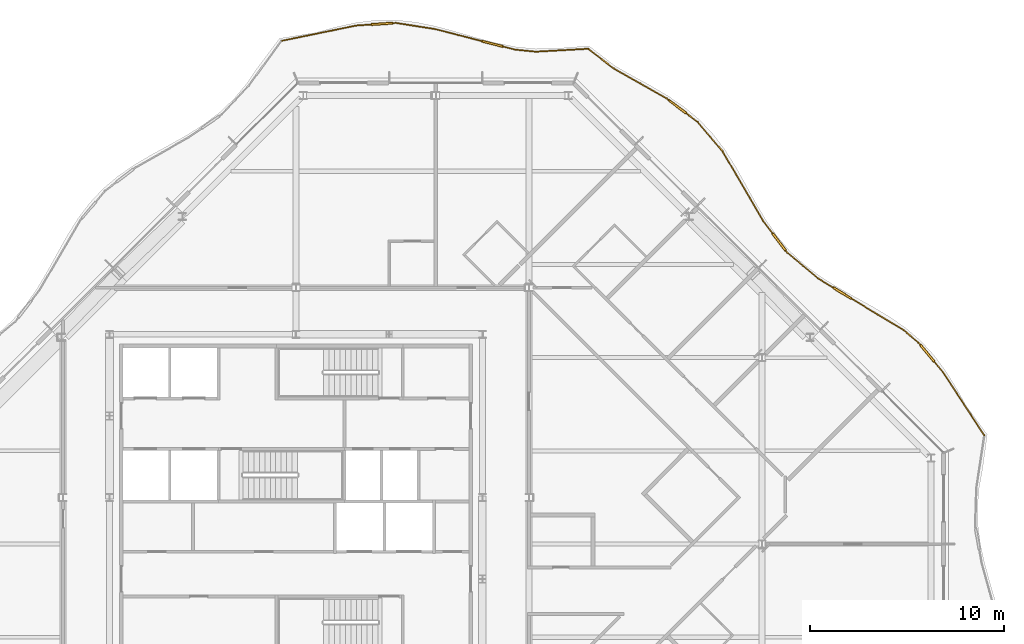
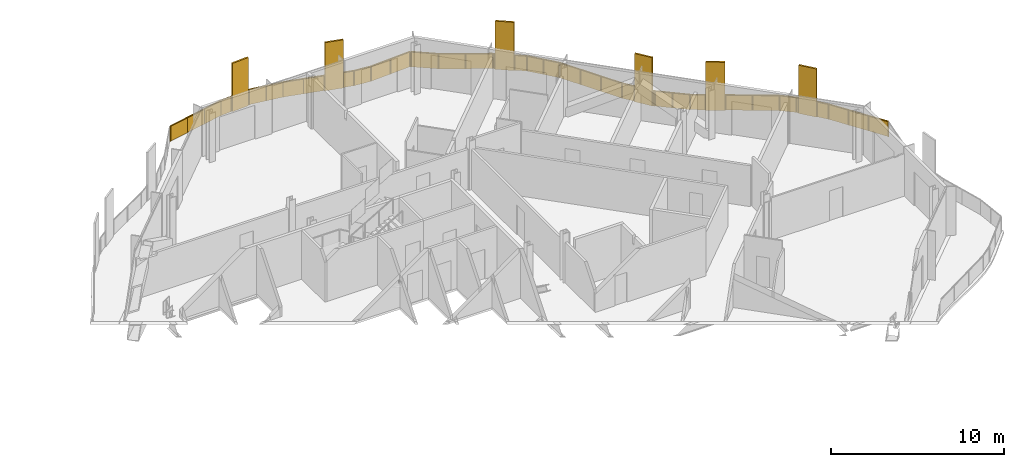
# One storey, part 17 of 17: 2 railings.
"""IFC4 building model written with IfcOpenShell, lengths in metres."""

import ifcopenshell
import ifcopenshell.guid

model = None  # the IFC model being written
_history = None  # IfcOwnerHistory: only IFC2X3 demands one
_inside = {}  # id of a spatial element -> (the spatial element, [elements in it])
_under = {}  # id of a project, library or spatial element -> (it, [spatial elements below it])
_declared = {}  # id of a project -> (the project, [libraries it declares])
_typed = {}  # id of a type object -> (the type object, [elements of that type])
_made_of = {}  # id of a material, layer set ... -> (it, [elements and type objects made of it])


def new_model(schema):
    """Start an empty IFC model of exactly this schema.

    Asked for "IFC4X3", IfcOpenShell would pick the latest addendum, in which some entities
    have other attributes; the version numbers below select the first issue.
    IFC2X3 requires an IfcOwnerHistory on every rooted entity: one is made here for all.
    """
    global model, _history
    if schema == "IFC4X3":
        model = ifcopenshell.file(schema_version=(4, 3, 0, 0))
    else:
        model = ifcopenshell.file(schema=schema)
    _inside.clear()
    _under.clear()
    _declared.clear()
    _typed.clear()
    _made_of.clear()
    _history = None
    if model.schema == "IFC2X3":
        org = make("IfcOrganization", Name="unknown")
        user = make(
            "IfcPersonAndOrganization",
            ThePerson=make("IfcPerson", FamilyName="unknown"),
            TheOrganization=org,
        )
        app = make(
            "IfcApplication",
            ApplicationDeveloper=org,
            Version="unknown",
            ApplicationFullName="unknown",
            ApplicationIdentifier="unknown",
        )
        _history = make(
            "IfcOwnerHistory",
            OwningUser=user,
            OwningApplication=app,
            ChangeAction="ADDED",
            CreationDate=0,
        )
    return model


def make(cls, **values):
    """One entity of the class cls with the attributes given. An attribute that is None is left unset."""
    return model.create_entity(
        cls, **{name: value for name, value in values.items() if value is not None}
    )


def rooted(cls, **values):
    """An entity with a GlobalId (a new one), such as an element, a storey or a relation."""
    return make(cls, GlobalId=ifcopenshell.guid.new(), OwnerHistory=_history, **values)


def si_unit(unit_type, name, prefix=None):
    """IfcSIUnit, for example si_unit("LENGTHUNIT", "METRE", prefix="MILLI")."""
    return make("IfcSIUnit", UnitType=unit_type, Prefix=prefix, Name=name)


def assignment(units):
    """IfcUnitAssignment: the units of a project."""
    return None if units is None else make("IfcUnitAssignment", Units=units)


def point(xyz):
    """IfcCartesianPoint."""
    return None if xyz is None else make("IfcCartesianPoint", Coordinates=xyz)


def direction(xyz):
    """IfcDirection."""
    return None if xyz is None else make("IfcDirection", DirectionRatios=xyz)


def frame(location, z_axis=None, x_axis=None):
    """IfcAxis2Placement3D, a coordinate frame: its origin and axes. An axis left out is left unset."""
    return make(
        "IfcAxis2Placement3D",
        Location=point(location),
        Axis=direction(z_axis),
        RefDirection=direction(x_axis),
    )


def frame_2d(location, x_axis=None):
    """IfcAxis2Placement2D, a coordinate frame in the plane: its origin and x axis."""
    return make(
        "IfcAxis2Placement2D", Location=point(location), RefDirection=direction(x_axis)
    )


def origin():
    """The frame at (0, 0, 0) with its axes left unset."""
    return frame((0.0, 0.0, 0.0))


def origin_2d():
    """The frame at (0, 0) in the plane with its x axis left unset."""
    return frame_2d((0.0, 0.0))


def place(relative_to, where):
    """IfcLocalPlacement: puts the frame where relative to a parent placement (None: the world)."""
    return make(
        "IfcLocalPlacement", PlacementRelTo=relative_to, RelativePlacement=where
    )


def context(
    kind, dimensions, precision=None, world=None, true_north=None, identifier=None
):
    """IfcGeometricRepresentationContext, for example the 3D "Model" context."""
    return make(
        "IfcGeometricRepresentationContext",
        ContextIdentifier=identifier,
        ContextType=kind,
        CoordinateSpaceDimension=dimensions,
        Precision=precision,
        WorldCoordinateSystem=world,
        TrueNorth=true_north,
    )


def subcontext(parent, identifier, kind, view, scale=None):
    """IfcGeometricRepresentationSubContext, for example "Body" below "Model"."""
    return make(
        "IfcGeometricRepresentationSubContext",
        ContextIdentifier=identifier,
        ContextType=kind,
        ParentContext=parent,
        TargetScale=scale,
        TargetView=view,
    )


def project(units=None, contexts=None):
    """IfcProject with its units and contexts."""
    return rooted(
        "IfcProject",
        Name="project",
        RepresentationContexts=contexts,
        UnitsInContext=assignment(units),
    )


def spatial(cls, under=None, at=None, **own):
    """A site, building, storey or space (cls), placed at a placement, below another one or the project."""
    s = rooted(cls, ObjectPlacement=at, **own)
    if under is not None:
        _under.setdefault(under.id(), (under, []))[1].append(s)
    return s


def polyline(points):
    """IfcPolyline through the points."""
    return make("IfcPolyline", Points=[point(p) for p in points])


def profile(cls, at=None, kind="AREA", **sizes):
    """A parametric profile (cls). Its sizes go by their IFC names, for example OverallWidth=200.0."""
    return make(cls, ProfileType=kind, Position=at, **sizes)


def rectangle(**sizes):
    """IfcRectangleProfileDef."""
    return profile("IfcRectangleProfileDef", **sizes)


def outline(outer, holes=None, kind="AREA"):
    """IfcArbitraryClosedProfileDef: a profile drawn as a closed curve; with holes, ...WithVoids."""
    if holes is None:
        return make("IfcArbitraryClosedProfileDef", ProfileType=kind, OuterCurve=outer)
    return make(
        "IfcArbitraryProfileDefWithVoids",
        ProfileType=kind,
        OuterCurve=outer,
        InnerCurves=holes,
    )


def extrude(swept, where, along, depth):
    """IfcExtrudedAreaSolid: the profile swept, set in the frame where, extruded along a direction by depth."""
    return make(
        "IfcExtrudedAreaSolid",
        SweptArea=swept,
        Position=where,
        ExtrudedDirection=direction(along),
        Depth=depth,
    )


def shape(context_of_items, identifier, shape_type, items):
    """IfcShapeRepresentation: the items that make up one representation, for example the "Body"."""
    return make(
        "IfcShapeRepresentation",
        ContextOfItems=context_of_items,
        RepresentationIdentifier=identifier,
        RepresentationType=shape_type,
        Items=items,
    )


def material(Name=None, Category=None):
    """IfcMaterial."""
    return make("IfcMaterial", Name=Name, Category=Category)


def made_of(thing, what):
    """Note that an element or type object is made of a material, layer set ...; save() writes the relation."""
    if what is not None:
        _made_of.setdefault(what.id(), (what, []))[1].append(thing)
    return thing


def type_object(cls, material=None, **own):
    """A type object (cls), such as IfcWallType, which elements share."""
    return made_of(rooted(cls, **own), material)


def element(
    cls,
    number,
    at=None,
    inside=None,
    cuts=None,
    type_object=None,
    material=None,
    context=None,
    identifier="Body",
    shape_type=None,
    held_by="IfcProductDefinitionShape",
    body=None,
    shapes=None,
    **own,
):
    """One element of the class cls, such as IfcWall. Its Tag is "e" and its number.

    at: its placement. inside: the storey or other place that contains it. cuts: it is an
    opening in that element (IfcRelVoidsElement). A single representation is given by context,
    identifier, shape_type and body (its items); several are given by shapes. held_by: the class
    of the entity that holds the representations. save() writes the other relations.
    """
    e = rooted(cls, Tag="e%d" % number, ObjectPlacement=at, **own)
    if body is not None:
        shapes = [shape(context, identifier, shape_type, body)]
    if shapes is not None:
        e.Representation = make(held_by, Representations=shapes)
    if inside is not None:
        _inside.setdefault(inside.id(), (inside, []))[1].append(e)
    if cuts is not None:
        rooted(
            "IfcRelVoidsElement", RelatingBuildingElement=cuts, RelatedOpeningElement=e
        )
    if type_object is not None:
        _typed.setdefault(type_object.id(), (type_object, []))[1].append(e)
    return made_of(e, material)


def aggregate(whole, parts):
    """IfcRelAggregates: a whole, such as a stair, and the parts it consists of."""
    return rooted("IfcRelAggregates", RelatingObject=whole, RelatedObjects=parts)


def save(model, path):
    """Write the relations noted so far, then the file.

    IfcRelAggregates (storeys below a building ...), IfcRelContainedInSpatialStructure (elements
    in a storey), IfcRelDefinesByType, IfcRelAssociatesMaterial and IfcRelDeclares: one each for
    every whole, place, type object, material and project.
    """
    for whole, parts in _under.values():
        aggregate(whole, parts)
    for where, things in _inside.values():
        rooted(
            "IfcRelContainedInSpatialStructure",
            RelatedElements=things,
            RelatingStructure=where,
        )
    for kind, things in _typed.values():
        rooted("IfcRelDefinesByType", RelatedObjects=things, RelatingType=kind)
    for what, things in _made_of.values():
        rooted("IfcRelAssociatesMaterial", RelatedObjects=things, RelatingMaterial=what)
    for by, libraries in _declared.values():
        rooted("IfcRelDeclares", RelatingContext=by, RelatedDefinitions=libraries)
    model.write(path)


model = new_model("IFC4")

# Units and contexts
model_context = context("Model", 3, precision=1e-05, world=origin(), true_north=direction((0.0, 1.0)))
body_context = subcontext(model_context, "Body", "Model", "MODEL_VIEW")
ifc_project = project(units=[si_unit("LENGTHUNIT", "METRE"), si_unit("AREAUNIT", "SQUARE_METRE"), si_unit("VOLUMEUNIT", "CUBIC_METRE"), si_unit("PLANEANGLEUNIT", "RADIAN"), si_unit("MASSUNIT", "GRAM", prefix="KILO")], contexts=[model_context])

# Site, building, storey
site_placement = place(None, origin())
site = spatial("IfcSite", under=ifc_project, at=site_placement, CompositionType="ELEMENT")
building_placement = place(site_placement, origin())
building = spatial("IfcBuilding", under=site, at=building_placement, Name="Cairn Pilgrim Tower", CompositionType="ELEMENT")
storey_placement = place(building_placement, frame((0.0, 0.0, 274.199951171875)))
storey = spatial("IfcBuildingStorey", under=building, at=storey_placement, Name="L70", CompositionType="ELEMENT", Elevation=274.199951171875)

# Railings
ifc_material = material(Name="Bronze anodised aluminium rail, posts and fin screens with laminated glass infill", Category="aluminium")
railing_type = type_object("IfcRailingType", Name="BALCONY GUARD WITH FIN SCREENS", PredefinedType="GUARDRAIL", material=ifc_material)
railing_1_placement = place(storey_placement, frame((42.648193359375, 5.596435546875, 0.0)))
element("IfcRailing", 1, at=railing_1_placement, inside=storey, type_object=railing_type, Name="Balcony guard BGF-3 with fin screens", PredefinedType="GUARDRAIL", context=body_context, shape_type="SweptSolid", body=[
    extrude(rectangle(XDim=0.050048828125, YDim=0.050048828125, at=origin_2d()), frame((0.0, 0.0, 1.0751953125), z_axis=(-0.546394916701, 0.837527668202, 0.0), x_axis=(-0.837527668202, -0.546394916701, 0.0)), (0.0, 0.0, 1.0), 3.865966796875),
    extrude(rectangle(XDim=1.10009765625, YDim=0.110107421875, at=origin_2d()), frame((-2.93359375, 4.224365234375, 0.0), z_axis=(0.0, 0.0, 1.0), x_axis=(-0.63984784715, 0.768501615156, 0.0)), (0.0, 0.0, 1.0), 3.39990234375),
    extrude(rectangle(XDim=0.050048828125, YDim=0.050048828125, at=origin_2d()), frame((-2.1123046875, 3.23779296875, 1.0751953125), z_axis=(-0.63984784715, 0.768501615156, 0.0), x_axis=(-0.768501615156, -0.63984784715, 0.0)), (0.0, 0.0, 1.0), 0.733642578125),
    extrude(rectangle(XDim=0.050048828125, YDim=0.050048828125, at=origin_2d()), frame((-3.28564453125, 4.64697265625, 1.0751953125), z_axis=(-0.63984784715, 0.768501615156, 0.0), x_axis=(-0.768501615156, -0.63984784715, 0.0)), (0.0, 0.0, 1.0), 0.16455078125),
    extrude(rectangle(XDim=0.050048828125, YDim=0.050048828125, at=origin_2d()), frame((-3.390869140625, 4.7734375, 1.0751953125), z_axis=(-0.759711919433, 0.65025979383, 0.0), x_axis=(-0.65025979383, -0.759711919433, 0.0)), (0.0, 0.0, 1.0), 0.983642578125),
    extrude(rectangle(XDim=1.10009765625, YDim=0.110107421875, at=origin_2d()), frame((-7.31494140625, 7.330322265625, 0.0), z_axis=(0.0, 0.0, 1.0), x_axis=(-0.856163211631, 0.516705481923, 0.0)), (0.0, 0.0, 1.0), 3.39990234375),
    extrude(rectangle(XDim=0.050048828125, YDim=0.050048828125, at=origin_2d()), frame((-4.13818359375, 5.4130859375, 1.0751953125), z_axis=(-0.856163211631, 0.516705481923, 0.0), x_axis=(-0.516705481923, -0.856163211631, 0.0)), (0.0, 0.0, 1.0), 3.16064453125),
    extrude(rectangle(XDim=0.050048828125, YDim=0.050048828125, at=origin_2d()), frame((-7.785888671875, 7.614501953125, 1.0751953125), z_axis=(-0.856163211631, 0.516705481923, 0.0), x_axis=(-0.516705481923, -0.856163211631, 0.0)), (0.0, 0.0, 1.0), 0.91845703125),
    extrude(rectangle(XDim=0.050048828125, YDim=0.050048828125, at=origin_2d()), frame((-8.572265625, 8.089111328125, 1.0751953125), z_axis=(-0.765368762212, 0.6435919964, 0.0), x_axis=(-0.6435919964, -0.765368762212, 0.0)), (0.0, 0.0, 1.0), 2.046875),
    extrude(rectangle(XDim=1.10009765625, YDim=0.110107421875, at=origin_2d()), frame((-10.564208984375, 9.962646484375, 0.0), z_axis=(0.0, 0.0, 1.0), x_axis=(-0.607348694301, 0.794435374043, 0.0)), (0.0, 0.0, 1.0), 3.39990234375),
    extrude(rectangle(XDim=0.050048828125, YDim=0.050048828125, at=origin_2d()), frame((-10.138916015625, 9.406494140625, 1.0751953125), z_axis=(-0.607348694301, 0.794435374043, 0.0), x_axis=(-0.794435374043, -0.607348694301, 0.0)), (0.0, 0.0, 1.0), 0.150146484375),
    extrude(rectangle(XDim=0.050048828125, YDim=0.050048828125, at=origin_2d()), frame((-10.898193359375, 10.399658203125, 1.0751953125), z_axis=(-0.607348694301, 0.794435374043, 0.0), x_axis=(-0.794435374043, -0.607348694301, 0.0)), (0.0, 0.0, 1.0), 0.80517578125),
    extrude(rectangle(XDim=0.050048828125, YDim=0.050048828125, at=origin_2d()), frame((-11.38720703125, 11.039306640625, 1.0751953125), z_axis=(-0.503534971954, 0.863974844552, 0.0), x_axis=(-0.863974844552, -0.503534971954, 0.0)), (0.0, 0.0, 1.0), 4.15625),
    extrude(rectangle(XDim=0.050048828125, YDim=0.050048828125, at=origin_2d()), frame((-13.47998046875, 14.630126953125, 1.0751953125), z_axis=(-0.647295447503, 0.76223920369, 0.0), x_axis=(-0.76223920369, -0.647295447503, 0.0)), (0.0, 0.0, 1.0), 1.988037109375),
    extrude(rectangle(XDim=1.10009765625, YDim=0.110107421875, at=origin_2d()), frame((-15.80615234375, 16.932861328125, 0.0), z_axis=(0.0, 0.0, 1.0), x_axis=(-0.797081486826, 0.60387176069, 0.0)), (0.0, 0.0, 1.0), 3.39990234375),
    extrude(rectangle(XDim=0.050048828125, YDim=0.050048828125, at=origin_2d()), frame((-14.766845703125, 16.1455078125, 1.0751953125), z_axis=(-0.797081486826, 0.60387176069, 0.0), x_axis=(-0.60387176069, -0.797081486826, 0.0)), (0.0, 0.0, 1.0), 0.75390625),
    extrude(rectangle(XDim=0.050048828125, YDim=0.050048828125, at=origin_2d()), frame((-16.24462890625, 17.26513671875, 1.0751953125), z_axis=(-0.797081486826, 0.60387176069, 0.0), x_axis=(-0.60387176069, -0.797081486826, 0.0)), (0.0, 0.0, 1.0), 0.150146484375),
    extrude(rectangle(XDim=0.050048828125, YDim=0.050048828125, at=origin_2d()), frame((-16.3642578125, 17.355712890625, 1.0751953125), z_axis=(-0.870065667144, 0.492935832394, 0.0), x_axis=(-0.492935832394, -0.870065667144, 0.0)), (0.0, 0.0, 1.0), 3.130615234375),
    extrude(rectangle(XDim=0.050048828125, YDim=0.050048828125, at=origin_2d()), frame((-19.088134765625, 18.89892578125, 1.0751953125), z_axis=(-0.79355732823, 0.608495494488, 0.0), x_axis=(-0.608495494488, -0.79355732823, 0.0)), (0.0, 0.0, 1.0), 1.602783203125),
    extrude(rectangle(XDim=0.050048828125, YDim=0.050048828125, at=origin_2d()), origin(), (0.0, 0.0, 1.0), 1.050048828125),
    extrude(rectangle(XDim=0.050048828125, YDim=0.050048828125, at=origin_2d()), frame((-0.7041015625, 1.079345703125, 0.0)), (0.0, 0.0, 1.0), 1.050048828125),
    extrude(rectangle(XDim=0.050048828125, YDim=0.050048828125, at=origin_2d()), frame((-1.408203125, 2.158447265625, 0.0)), (0.0, 0.0, 1.0), 1.050048828125),
    extrude(rectangle(XDim=0.050048828125, YDim=0.050048828125, at=origin_2d()), frame((-2.1123046875, 3.23779296875, 0.0)), (0.0, 0.0, 1.0), 1.050048828125),
    extrude(rectangle(XDim=0.050048828125, YDim=0.050048828125, at=origin_2d()), frame((-2.565673828125, 3.7822265625, 0.0)), (0.0, 0.0, 1.0), 1.050048828125),
    extrude(rectangle(XDim=0.050048828125, YDim=0.050048828125, at=origin_2d()), frame((-3.301513671875, 4.666259765625, 0.0)), (0.0, 0.0, 1.0), 1.050048828125),
    extrude(rectangle(XDim=0.050048828125, YDim=0.050048828125, at=origin_2d()), frame((-3.390869140625, 4.7734375, 0.0)), (0.0, 0.0, 1.0), 1.050048828125),
    extrude(rectangle(XDim=0.050048828125, YDim=0.050048828125, at=origin_2d()), frame((-4.13818359375, 5.4130859375, 0.0)), (0.0, 0.0, 1.0), 1.050048828125),
    extrude(rectangle(XDim=0.050048828125, YDim=0.050048828125, at=origin_2d()), frame((-5.48046875, 6.22314453125, 0.0)), (0.0, 0.0, 1.0), 1.050048828125),
    extrude(rectangle(XDim=0.050048828125, YDim=0.050048828125, at=origin_2d()), frame((-6.82275390625, 7.033203125, 0.0)), (0.0, 0.0, 1.0), 1.050048828125),
    extrude(rectangle(XDim=0.050048828125, YDim=0.050048828125, at=origin_2d()), frame((-7.807373046875, 7.62744140625, 0.0)), (0.0, 0.0, 1.0), 1.050048828125),
    extrude(rectangle(XDim=0.050048828125, YDim=0.050048828125, at=origin_2d()), frame((-8.572265625, 8.089111328125, 0.0)), (0.0, 0.0, 1.0), 1.050048828125),
    extrude(rectangle(XDim=0.050048828125, YDim=0.050048828125, at=origin_2d()), frame((-9.35546875, 8.747802734375, 0.0)), (0.0, 0.0, 1.0), 1.050048828125),
    extrude(rectangle(XDim=0.050048828125, YDim=0.050048828125, at=origin_2d()), frame((-10.138916015625, 9.406494140625, 0.0)), (0.0, 0.0, 1.0), 1.050048828125),
    extrude(rectangle(XDim=0.050048828125, YDim=0.050048828125, at=origin_2d()), frame((-10.21484375, 9.505859375, 0.0)), (0.0, 0.0, 1.0), 1.050048828125),
    extrude(rectangle(XDim=0.050048828125, YDim=0.050048828125, at=origin_2d()), frame((-10.913330078125, 10.41943359375, 0.0)), (0.0, 0.0, 1.0), 1.050048828125),
    extrude(rectangle(XDim=0.050048828125, YDim=0.050048828125, at=origin_2d()), frame((-11.38720703125, 11.039306640625, 0.0)), (0.0, 0.0, 1.0), 1.050048828125),
    extrude(rectangle(XDim=0.050048828125, YDim=0.050048828125, at=origin_2d()), frame((-12.084716796875, 12.236328125, 0.0)), (0.0, 0.0, 1.0), 1.050048828125),
    extrude(rectangle(XDim=0.050048828125, YDim=0.050048828125, at=origin_2d()), frame((-12.782470703125, 13.43310546875, 0.0)), (0.0, 0.0, 1.0), 1.050048828125),
    extrude(rectangle(XDim=0.050048828125, YDim=0.050048828125, at=origin_2d()), frame((-13.47998046875, 14.630126953125, 0.0)), (0.0, 0.0, 1.0), 1.050048828125),
    extrude(rectangle(XDim=0.050048828125, YDim=0.050048828125, at=origin_2d()), frame((-14.12353515625, 15.3876953125, 0.0)), (0.0, 0.0, 1.0), 1.050048828125),
    extrude(rectangle(XDim=0.050048828125, YDim=0.050048828125, at=origin_2d()), frame((-14.766845703125, 16.1455078125, 0.0)), (0.0, 0.0, 1.0), 1.050048828125),
    extrude(rectangle(XDim=0.050048828125, YDim=0.050048828125, at=origin_2d()), frame((-15.347900390625, 16.585693359375, 0.0)), (0.0, 0.0, 1.0), 1.050048828125),
    extrude(rectangle(XDim=0.050048828125, YDim=0.050048828125, at=origin_2d()), frame((-16.264404296875, 17.280029296875, 0.0)), (0.0, 0.0, 1.0), 1.050048828125),
    extrude(rectangle(XDim=0.050048828125, YDim=0.050048828125, at=origin_2d()), frame((-16.3642578125, 17.355712890625, 0.0)), (0.0, 0.0, 1.0), 1.050048828125),
    extrude(rectangle(XDim=0.050048828125, YDim=0.050048828125, at=origin_2d()), frame((-17.72607421875, 18.12744140625, 0.0)), (0.0, 0.0, 1.0), 1.050048828125),
    extrude(rectangle(XDim=0.050048828125, YDim=0.050048828125, at=origin_2d()), frame((-19.088134765625, 18.89892578125, 0.0)), (0.0, 0.0, 1.0), 1.050048828125),
    extrude(rectangle(XDim=0.050048828125, YDim=0.050048828125, at=origin_2d()), frame((-20.360107421875, 19.874267578125, 0.0)), (0.0, 0.0, 1.0), 1.050048828125),
    extrude(outline(polyline([(0.02490234375, 0.0), (1.263671875, 0.0), (1.263671875, 1.050048828125), (0.02490234375, 1.050048828125), (0.02490234375, 0.0)])), frame((-0.005126953125, -0.003173828125, 0.0), z_axis=(0.837527668202, 0.546394916701, 0.0), x_axis=(-0.546394916701, 0.837527668202, 0.0)), (0.0, 0.0, 1.0), 0.011962890625),
    extrude(outline(polyline([(0.02490234375, 0.0), (1.263671875, 0.0), (1.263671875, 1.050048828125), (0.02490234375, 1.050048828125), (0.02490234375, 0.0)])), frame((-0.709228515625, 1.075927734375, 0.0), z_axis=(0.837527668202, 0.546394916701, 0.0), x_axis=(-0.546394916701, 0.837527668202, 0.0)), (0.0, 0.0, 1.0), 0.011962890625),
    extrude(outline(polyline([(0.02490234375, 0.0), (1.263671875, 0.0), (1.263671875, 1.050048828125), (0.02490234375, 1.050048828125), (0.02490234375, 0.0)])), frame((-1.413330078125, 2.1552734375, 0.0), z_axis=(0.837527668202, 0.546394916701, 0.0), x_axis=(-0.546394916701, 0.837527668202, 0.0)), (0.0, 0.0, 1.0), 0.011962890625),
    extrude(outline(polyline([(0.02490234375, 0.0), (0.68359375, 0.0), (0.68359375, 1.050048828125), (0.02490234375, 1.050048828125), (0.02490234375, 0.0)])), frame((-2.116943359375, 3.23388671875, 0.0), z_axis=(0.768501615156, 0.63984784715, 0.0), x_axis=(-0.63984784715, 0.768501615156, 0.0)), (0.0, 0.0, 1.0), 0.011962890625),
    extrude(outline(polyline([(0.02490234375, 0.0), (0.114501953125, 0.0), (0.114501953125, 1.050048828125), (0.02490234375, 1.050048828125), (0.02490234375, 0.0)])), frame((-3.30615234375, 4.662353515625, 0.0), z_axis=(0.768501615156, 0.63984784715, 0.0), x_axis=(-0.63984784715, 0.768501615156, 0.0)), (0.0, 0.0, 1.0), 0.011962890625),
    extrude(outline(polyline([(0.02490234375, 0.0), (0.958740234375, 0.0), (0.958740234375, 1.050048828125), (0.02490234375, 1.050048828125), (0.02490234375, 0.0)])), frame((-3.394775390625, 4.768798828125, 0.0), z_axis=(0.65025979383, 0.759711919433, 0.0), x_axis=(-0.759711919433, 0.65025979383, 0.0)), (0.0, 0.0, 1.0), 0.011962890625),
    extrude(outline(polyline([(0.02490234375, 0.0), (1.542724609375, 0.0), (1.542724609375, 1.050048828125), (0.02490234375, 1.050048828125), (0.02490234375, 0.0)])), frame((-4.141357421875, 5.407958984375, 0.0), z_axis=(0.516705481923, 0.856163211631, 0.0), x_axis=(-0.856163211631, 0.516705481923, 0.0)), (0.0, 0.0, 1.0), 0.011962890625),
    extrude(outline(polyline([(0.02490234375, 0.0), (1.542724609375, 0.0), (1.542724609375, 1.050048828125), (0.02490234375, 1.050048828125), (0.02490234375, 0.0)])), frame((-5.483642578125, 6.218017578125, 0.0), z_axis=(0.516705481923, 0.856163211631, 0.0), x_axis=(-0.856163211631, 0.516705481923, 0.0)), (0.0, 0.0, 1.0), 0.011962890625),
    extrude(outline(polyline([(0.02490234375, 0.0), (0.868408203125, 0.0), (0.868408203125, 1.050048828125), (0.02490234375, 1.050048828125), (0.02490234375, 0.0)])), frame((-7.810546875, 7.622314453125, 0.0), z_axis=(0.516705481923, 0.856163211631, 0.0), x_axis=(-0.856163211631, 0.516705481923, 0.0)), (0.0, 0.0, 1.0), 0.011962890625),
    extrude(outline(polyline([(0.02490234375, 0.0), (0.99853515625, 0.0), (0.99853515625, 1.050048828125), (0.02490234375, 1.050048828125), (0.02490234375, 0.0)])), frame((-8.576171875, 8.08447265625, 0.0), z_axis=(0.6435919964, 0.765368762212, 0.0), x_axis=(-0.765368762212, 0.6435919964, 0.0)), (0.0, 0.0, 1.0), 0.011962890625),
    extrude(outline(polyline([(0.02490234375, 0.0), (0.99853515625, 0.0), (0.99853515625, 1.050048828125), (0.02490234375, 1.050048828125), (0.02490234375, 0.0)])), frame((-9.359375, 8.7431640625, 0.0), z_axis=(0.6435919964, 0.765368762212, 0.0), x_axis=(-0.765368762212, 0.6435919964, 0.0)), (0.0, 0.0, 1.0), 0.011962890625),
    extrude(outline(polyline([(0.02490234375, 0.0), (0.10009765625, 0.0), (0.10009765625, 1.050048828125), (0.02490234375, 1.050048828125), (0.02490234375, 0.0)])), frame((-10.1435546875, 9.40283203125, 0.0), z_axis=(0.794435374043, 0.607348694301, 0.0), x_axis=(-0.607348694301, 0.794435374043, 0.0)), (0.0, 0.0, 1.0), 0.011962890625),
    extrude(outline(polyline([(0.02490234375, 0.0), (0.755126953125, 0.0), (0.755126953125, 1.050048828125), (0.02490234375, 1.050048828125), (0.02490234375, 0.0)])), frame((-10.91796875, 10.415771484375, 0.0), z_axis=(0.794435374043, 0.607348694301, 0.0), x_axis=(-0.607348694301, 0.794435374043, 0.0)), (0.0, 0.0, 1.0), 0.011962890625),
    extrude(outline(polyline([(0.02490234375, 0.0), (1.3603515625, 0.0), (1.3603515625, 1.050048828125), (0.02490234375, 1.050048828125), (0.02490234375, 0.0)])), frame((-11.392333984375, 11.036376953125, 0.0), z_axis=(0.863974844552, 0.503534971954, 0.0), x_axis=(-0.503534971954, 0.863974844552, 0.0)), (0.0, 0.0, 1.0), 0.011962890625),
    extrude(outline(polyline([(0.02490234375, 0.0), (1.3603515625, 0.0), (1.3603515625, 1.050048828125), (0.02490234375, 1.050048828125), (0.02490234375, 0.0)])), frame((-12.090087890625, 12.233154296875, 0.0), z_axis=(0.863974844552, 0.503534971954, 0.0), x_axis=(-0.503534971954, 0.863974844552, 0.0)), (0.0, 0.0, 1.0), 0.011962890625),
    extrude(outline(polyline([(0.02490234375, 0.0), (1.3603515625, 0.0), (1.3603515625, 1.050048828125), (0.02490234375, 1.050048828125), (0.02490234375, 0.0)])), frame((-12.78759765625, 13.43017578125, 0.0), z_axis=(0.863974844552, 0.503534971954, 0.0), x_axis=(-0.503534971954, 0.863974844552, 0.0)), (0.0, 0.0, 1.0), 0.011962890625),
    extrude(outline(polyline([(0.02490234375, 0.0), (0.968994140625, 0.0), (0.968994140625, 1.050048828125), (0.02490234375, 1.050048828125), (0.02490234375, 0.0)])), frame((-13.484619140625, 14.626220703125, 0.0), z_axis=(0.76223920369, 0.647295447503, 0.0), x_axis=(-0.647295447503, 0.76223920369, 0.0)), (0.0, 0.0, 1.0), 0.011962890625),
    extrude(outline(polyline([(0.02490234375, 0.0), (0.968994140625, 0.0), (0.968994140625, 1.050048828125), (0.02490234375, 1.050048828125), (0.02490234375, 0.0)])), frame((-14.1279296875, 15.384033203125, 0.0), z_axis=(0.76223920369, 0.647295447503, 0.0), x_axis=(-0.647295447503, 0.76223920369, 0.0)), (0.0, 0.0, 1.0), 0.011962890625),
    extrude(outline(polyline([(0.02490234375, 0.0), (0.703857421875, 0.0), (0.703857421875, 1.050048828125), (0.02490234375, 1.050048828125), (0.02490234375, 0.0)])), frame((-14.7705078125, 16.140625, 0.0), z_axis=(0.60387176069, 0.797081486826, 0.0), x_axis=(-0.797081486826, 0.60387176069, 0.0)), (0.0, 0.0, 1.0), 0.011962890625),
    extrude(outline(polyline([(0.02490234375, 0.0), (0.10009765625, 0.0), (0.10009765625, 1.050048828125), (0.02490234375, 1.050048828125), (0.02490234375, 0.0)])), frame((-16.26806640625, 17.275390625, 0.0), z_axis=(0.60387176069, 0.797081486826, 0.0), x_axis=(-0.797081486826, 0.60387176069, 0.0)), (0.0, 0.0, 1.0), 0.011962890625),
    extrude(outline(polyline([(0.02490234375, 0.0), (1.540283203125, 0.0), (1.540283203125, 1.050048828125), (0.02490234375, 1.050048828125), (0.02490234375, 0.0)])), frame((-16.3671875, 17.3505859375, 0.0), z_axis=(0.492935832394, 0.870065667144, 0.0), x_axis=(-0.870065667144, 0.492935832394, 0.0)), (0.0, 0.0, 1.0), 0.011962890625),
    extrude(outline(polyline([(0.02490234375, 0.0), (1.540283203125, 0.0), (1.540283203125, 1.050048828125), (0.02490234375, 1.050048828125), (0.02490234375, 0.0)])), frame((-17.729248046875, 18.1220703125, 0.0), z_axis=(0.492935832394, 0.870065667144, 0.0), x_axis=(-0.870065667144, 0.492935832394, 0.0)), (0.0, 0.0, 1.0), 0.011962890625),
    extrude(outline(polyline([(0.02490234375, 0.0), (1.577880859375, 0.0), (1.577880859375, 1.050048828125), (0.02490234375, 1.050048828125), (0.02490234375, 0.0)])), frame((-19.091796875, 18.894287109375, 0.0), z_axis=(0.608495494488, 0.79355732823, 0.0), x_axis=(-0.79355732823, 0.608495494488, 0.0)), (0.0, 0.0, 1.0), 0.011962890625),
])
railing_2_placement = place(storey_placement, frame((22.240478515625, 25.507080078125, 0.0)))
element("IfcRailing", 2, at=railing_2_placement, inside=storey, type_object=railing_type, Name="Balcony guard BGF-4 with fin screens", PredefinedType="GUARDRAIL", context=body_context, shape_type="SweptSolid", body=[
    extrude(rectangle(XDim=0.050048828125, YDim=0.050048828125, at=origin_2d()), frame((0.0, 0.0, 1.0751953125), z_axis=(-0.998463406391, -0.055415034938, 0.0), x_axis=(0.055415034938, -0.998463406391, 0.0)), (0.0, 0.0, 1.0), 2.705078125),
    extrude(rectangle(XDim=0.050048828125, YDim=0.050048828125, at=origin_2d()), frame((-2.700927734375, -0.14990234375, 1.0751953125), z_axis=(-0.995144128893, 0.098428465036, 0.0), x_axis=(-0.098428465036, -0.995144128893, 0.0)), (0.0, 0.0, 1.0), 1.056640625),
    extrude(rectangle(XDim=1.10009765625, YDim=0.110107421875, at=origin_2d()), frame((-4.922607421875, 0.255126953125, 0.0), z_axis=(0.0, 0.0, 1.0), x_axis=(-0.968447815206, 0.249216430483, 0.0)), (0.0, 0.0, 1.0), 3.39990234375),
    extrude(rectangle(XDim=0.050048828125, YDim=0.050048828125, at=origin_2d()), frame((-3.75244140625, -0.0458984375, 1.0751953125), z_axis=(-0.968447815206, 0.249216430483, 0.0), x_axis=(-0.249216430483, -0.968447815206, 0.0)), (0.0, 0.0, 1.0), 0.658203125),
    extrude(rectangle(XDim=0.050048828125, YDim=0.050048828125, at=origin_2d()), frame((-5.455078125, 0.392333984375, 1.0751953125), z_axis=(-0.968447815206, 0.249216430483, 0.0), x_axis=(-0.249216430483, -0.968447815206, 0.0)), (0.0, 0.0, 1.0), 2.494384765625),
    extrude(rectangle(XDim=0.050048828125, YDim=0.050048828125, at=origin_2d()), frame((-7.870849609375, 1.013916015625, 1.0751953125), z_axis=(-0.988055532985, 0.15409822756, 0.0), x_axis=(-0.15409822756, -0.988055532985, 0.0)), (0.0, 0.0, 1.0), 2.05810546875),
    extrude(rectangle(XDim=1.10009765625, YDim=0.110107421875, at=origin_2d()), frame((-10.602783203125, 1.284912109375, 0.0), z_axis=(0.0, 0.0, 1.0), x_axis=(-0.997835834101, -0.065754453714, 0.0)), (0.0, 0.0, 1.0), 3.39990234375),
    extrude(rectangle(XDim=0.050048828125, YDim=0.050048828125, at=origin_2d()), frame((-9.904296875, 1.3310546875, 1.0751953125), z_axis=(-0.997835834101, -0.065754453714, 0.0), x_axis=(0.065754453714, -0.997835834101, 0.0)), (0.0, 0.0, 1.0), 0.14990234375),
    extrude(rectangle(XDim=0.050048828125, YDim=0.050048828125, at=origin_2d()), frame((-11.151611328125, 1.248779296875, 1.0751953125), z_axis=(-0.997835834101, -0.065754453714, 0.0), x_axis=(0.065754453714, -0.997835834101, 0.0)), (0.0, 0.0, 1.0), 0.78466796875),
    extrude(rectangle(XDim=0.050048828125, YDim=0.050048828125, at=origin_2d()), frame((-11.9345703125, 1.197265625, 1.0751953125), z_axis=(-0.979510650954, -0.201392364969, 0.0), x_axis=(0.201392364969, -0.979510650954, 0.0)), (0.0, 0.0, 1.0), 3.886474609375),
    extrude(rectangle(XDim=0.050048828125, YDim=0.050048828125, at=origin_2d()), origin(), (0.0, 0.0, 1.0), 1.050048828125),
    extrude(rectangle(XDim=0.050048828125, YDim=0.050048828125, at=origin_2d()), frame((-1.3505859375, -0.074951171875, 0.0)), (0.0, 0.0, 1.0), 1.050048828125),
    extrude(rectangle(XDim=0.050048828125, YDim=0.050048828125, at=origin_2d()), frame((-2.700927734375, -0.14990234375, 0.0)), (0.0, 0.0, 1.0), 1.050048828125),
    extrude(rectangle(XDim=0.050048828125, YDim=0.050048828125, at=origin_2d()), frame((-3.75244140625, -0.0458984375, 0.0)), (0.0, 0.0, 1.0), 1.050048828125),
    extrude(rectangle(XDim=0.050048828125, YDim=0.050048828125, at=origin_2d()), frame((-4.36572265625, 0.11181640625, 0.0)), (0.0, 0.0, 1.0), 1.050048828125),
    extrude(rectangle(XDim=0.050048828125, YDim=0.050048828125, at=origin_2d()), frame((-5.4794921875, 0.3984375, 0.0)), (0.0, 0.0, 1.0), 1.050048828125),
    extrude(rectangle(XDim=0.050048828125, YDim=0.050048828125, at=origin_2d()), frame((-6.675048828125, 0.706298828125, 0.0)), (0.0, 0.0, 1.0), 1.050048828125),
    extrude(rectangle(XDim=0.050048828125, YDim=0.050048828125, at=origin_2d()), frame((-7.870849609375, 1.013916015625, 0.0)), (0.0, 0.0, 1.0), 1.050048828125),
    extrude(rectangle(XDim=0.050048828125, YDim=0.050048828125, at=origin_2d()), frame((-8.8876953125, 1.17236328125, 0.0)), (0.0, 0.0, 1.0), 1.050048828125),
    extrude(rectangle(XDim=0.050048828125, YDim=0.050048828125, at=origin_2d()), frame((-9.904296875, 1.3310546875, 0.0)), (0.0, 0.0, 1.0), 1.050048828125),
    extrude(rectangle(XDim=0.050048828125, YDim=0.050048828125, at=origin_2d()), frame((-10.029052734375, 1.32275390625, 0.0)), (0.0, 0.0, 1.0), 1.050048828125),
    extrude(rectangle(XDim=0.050048828125, YDim=0.050048828125, at=origin_2d()), frame((-11.176513671875, 1.247314453125, 0.0)), (0.0, 0.0, 1.0), 1.050048828125),
    extrude(rectangle(XDim=0.050048828125, YDim=0.050048828125, at=origin_2d()), frame((-11.9345703125, 1.197265625, 0.0)), (0.0, 0.0, 1.0), 1.050048828125),
    extrude(rectangle(XDim=0.050048828125, YDim=0.050048828125, at=origin_2d()), frame((-13.20361328125, 0.936279296875, 0.0)), (0.0, 0.0, 1.0), 1.050048828125),
    extrude(rectangle(XDim=0.050048828125, YDim=0.050048828125, at=origin_2d()), frame((-14.472412109375, 0.675537109375, 0.0)), (0.0, 0.0, 1.0), 1.050048828125),
    extrude(rectangle(XDim=0.050048828125, YDim=0.050048828125, at=origin_2d()), frame((-15.741455078125, 0.41455078125, 0.0)), (0.0, 0.0, 1.0), 1.050048828125),
    extrude(outline(polyline([(0.02490234375, 0.0), (1.32763671875, 0.0), (1.32763671875, 1.050048828125), (0.02490234375, 1.050048828125), (0.02490234375, 0.0)])), frame((0.000244140625, -0.005859375, 0.0), z_axis=(-0.055415034938, 0.998463406391, 0.0), x_axis=(-0.998463406391, -0.055415034938, 0.0)), (0.0, 0.0, 1.0), 0.011962890625),
    extrude(outline(polyline([(0.02490234375, 0.0), (1.32763671875, 0.0), (1.32763671875, 1.050048828125), (0.02490234375, 1.050048828125), (0.02490234375, 0.0)])), frame((-1.35009765625, -0.080810546875, 0.0), z_axis=(-0.055415034938, 0.998463406391, 0.0), x_axis=(-0.998463406391, -0.055415034938, 0.0)), (0.0, 0.0, 1.0), 0.011962890625),
    extrude(outline(polyline([(0.02490234375, 0.0), (1.03173828125, 0.0), (1.03173828125, 1.050048828125), (0.02490234375, 1.050048828125), (0.02490234375, 0.0)])), frame((-2.701416015625, -0.15576171875, 0.0), z_axis=(0.098428465036, 0.995144128893, 0.0), x_axis=(-0.995144128893, 0.098428465036, 0.0)), (0.0, 0.0, 1.0), 0.011962890625),
    extrude(outline(polyline([(0.02490234375, 0.0), (0.608154296875, 0.0), (0.608154296875, 1.050048828125), (0.02490234375, 1.050048828125), (0.02490234375, 0.0)])), frame((-3.75390625, -0.0517578125, 0.0), z_axis=(0.249216430483, 0.968447815206, 0.0), x_axis=(-0.968447815206, 0.249216430483, 0.0)), (0.0, 0.0, 1.0), 0.011962890625),
    extrude(outline(polyline([(0.02490234375, 0.0), (1.209716796875, 0.0), (1.209716796875, 1.050048828125), (0.02490234375, 1.050048828125), (0.02490234375, 0.0)])), frame((-5.48095703125, 0.392822265625, 0.0), z_axis=(0.249216430483, 0.968447815206, 0.0), x_axis=(-0.968447815206, 0.249216430483, 0.0)), (0.0, 0.0, 1.0), 0.011962890625),
    extrude(outline(polyline([(0.02490234375, 0.0), (1.209716796875, 0.0), (1.209716796875, 1.050048828125), (0.02490234375, 1.050048828125), (0.02490234375, 0.0)])), frame((-6.676513671875, 0.700439453125, 0.0), z_axis=(0.249216430483, 0.968447815206, 0.0), x_axis=(-0.968447815206, 0.249216430483, 0.0)), (0.0, 0.0, 1.0), 0.011962890625),
    extrude(outline(polyline([(0.02490234375, 0.0), (1.00390625, 0.0), (1.00390625, 1.050048828125), (0.02490234375, 1.050048828125), (0.02490234375, 0.0)])), frame((-7.871826171875, 1.008056640625, 0.0), z_axis=(0.15409822756, 0.988055532985, 0.0), x_axis=(-0.988055532985, 0.15409822756, 0.0)), (0.0, 0.0, 1.0), 0.011962890625),
    extrude(outline(polyline([(0.02490234375, 0.0), (1.00390625, 0.0), (1.00390625, 1.050048828125), (0.02490234375, 1.050048828125), (0.02490234375, 0.0)])), frame((-8.888427734375, 1.16650390625, 0.0), z_axis=(0.15409822756, 0.988055532985, 0.0), x_axis=(-0.988055532985, 0.15409822756, 0.0)), (0.0, 0.0, 1.0), 0.011962890625),
    extrude(outline(polyline([(0.02490234375, 0.0), (0.099853515625, 0.0), (0.099853515625, 1.050048828125), (0.02490234375, 1.050048828125), (0.02490234375, 0.0)])), frame((-9.90380859375, 1.3251953125, 0.0), z_axis=(-0.065754453714, 0.997835834101, 0.0), x_axis=(-0.997835834101, -0.065754453714, 0.0)), (0.0, 0.0, 1.0), 0.011962890625),
    extrude(outline(polyline([(0.02490234375, 0.0), (0.734619140625, 0.0), (0.734619140625, 1.050048828125), (0.02490234375, 1.050048828125), (0.02490234375, 0.0)])), frame((-11.176025390625, 1.2412109375, 0.0), z_axis=(-0.065754453714, 0.997835834101, 0.0), x_axis=(-0.997835834101, -0.065754453714, 0.0)), (0.0, 0.0, 1.0), 0.011962890625),
    extrude(outline(polyline([(0.02490234375, 0.0), (1.2705078125, 0.0), (1.2705078125, 1.050048828125), (0.02490234375, 1.050048828125), (0.02490234375, 0.0)])), frame((-11.933349609375, 1.19140625, 0.0), z_axis=(-0.201392364969, 0.979510650954, 0.0), x_axis=(-0.979510650954, -0.201392364969, 0.0)), (0.0, 0.0, 1.0), 0.011962890625),
    extrude(outline(polyline([(0.02490234375, 0.0), (1.2705078125, 0.0), (1.2705078125, 1.050048828125), (0.02490234375, 1.050048828125), (0.02490234375, 0.0)])), frame((-13.202392578125, 0.930419921875, 0.0), z_axis=(-0.201392364969, 0.979510650954, 0.0), x_axis=(-0.979510650954, -0.201392364969, 0.0)), (0.0, 0.0, 1.0), 0.011962890625),
    extrude(outline(polyline([(0.02490234375, 0.0), (1.2705078125, 0.0), (1.2705078125, 1.050048828125), (0.02490234375, 1.050048828125), (0.02490234375, 0.0)])), frame((-14.47119140625, 0.669677734375, 0.0), z_axis=(-0.201392364969, 0.979510650954, 0.0), x_axis=(-0.979510650954, -0.201392364969, 0.0)), (0.0, 0.0, 1.0), 0.011962890625),
])

save(model, "model.ifc")
